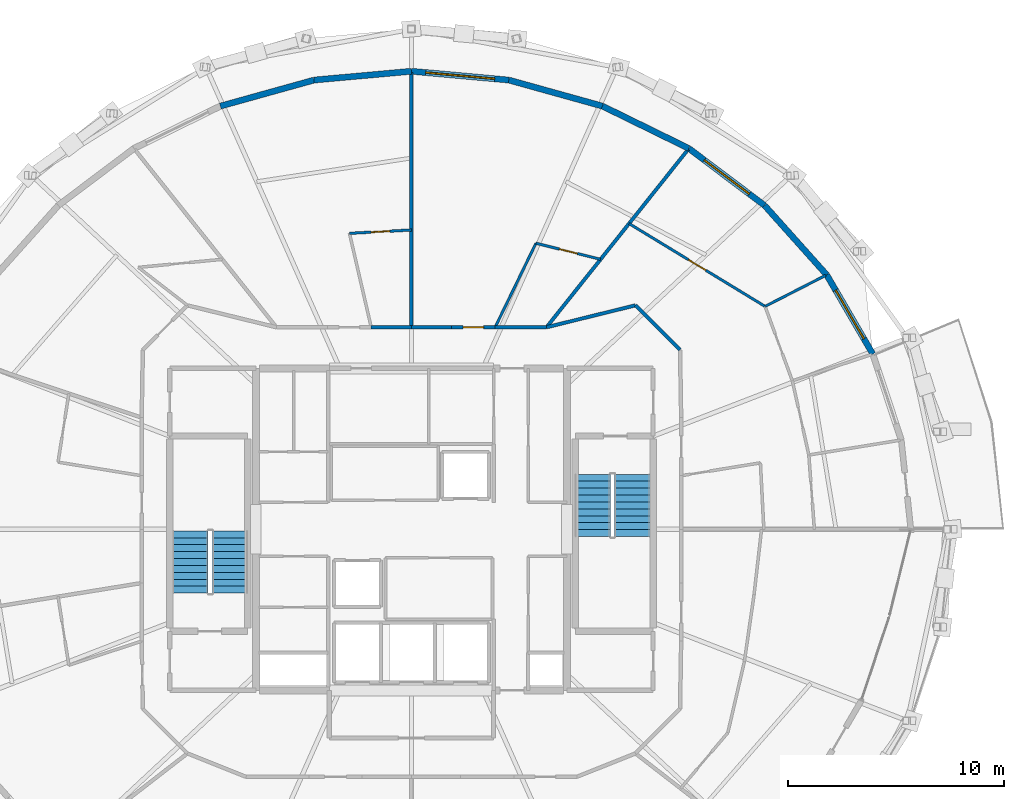
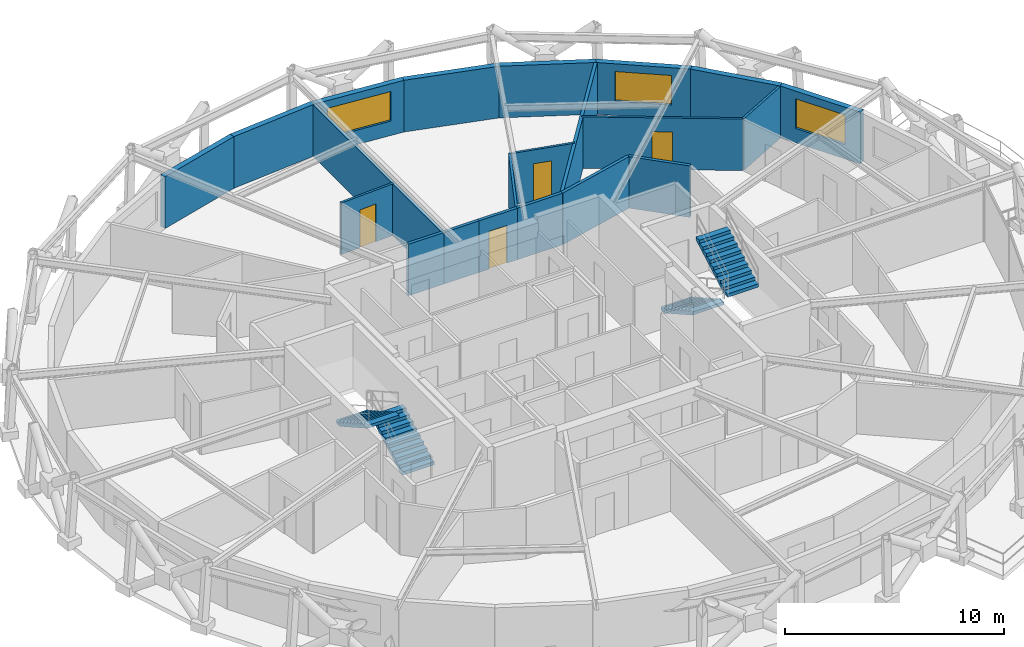
# One storey, part 11 of 12: 21 walls, 4 doors, 4 stair flights, 3 windows, 7 openings, 2 elements without a shape of their own.
"""IFC4 building model written with IfcOpenShell, lengths in metres."""

from ifc_helpers import new_model, si_unit, direction, frame, frame_2d, origin, place, context, subcontext, project, spatial, polyline, rectangle, outline, extrude, material, layer, layer_set, type_object, element, fill, aggregate, save


model = new_model("IFC4")

# Units and contexts
model_context = context("Model", 3, precision=1e-05, world=origin(), true_north=direction((0.0, 1.0)))
body_context = subcontext(model_context, "Body", "Model", "MODEL_VIEW")
ifc_project = project(units=[si_unit("LENGTHUNIT", "METRE"), si_unit("AREAUNIT", "SQUARE_METRE"), si_unit("VOLUMEUNIT", "CUBIC_METRE"), si_unit("PLANEANGLEUNIT", "RADIAN"), si_unit("MASSUNIT", "GRAM", prefix="KILO")], contexts=[model_context])

# Site, building, storey
site_placement = place(None, origin())
site = spatial("IfcSite", under=ifc_project, at=site_placement, CompositionType="ELEMENT")
building_placement = place(site_placement, origin())
building = spatial("IfcBuilding", under=site, at=building_placement, Name="Veldorina Hangang Commons", CompositionType="ELEMENT")
storey_placement = place(building_placement, frame((0.0, 0.0, 222.0)))
storey = spatial("IfcBuildingStorey", under=building, at=storey_placement, Name="L57", CompositionType="ELEMENT", Elevation=222.0)

# Wall, opening, window
ifc_material_1 = material(Name="Stone Roman Travertine", Category="masonry")
ifc_layer_1 = layer(ifc_material_1, 0.280029296875)
ifc_layer_set_1 = layer_set([ifc_layer_1], Name="Stone Roman Travertine")
wall_type_1 = type_object("IfcWallType", Name="EW-TRAV-280", PredefinedType="STANDARD", material=ifc_layer_set_1)
wall_1_placement = place(storey_placement, frame((53.3466796875, 32.11083984375, 0.0), z_axis=(0.0, 0.0, 1.0), x_axis=(-0.503498718903, 0.863995972249, 0.0)))
wall_1 = element("IfcWall", 1, at=wall_1_placement, inside=storey, type_object=wall_type_1, Name="L57 travertine facade wall 02", PredefinedType="STANDARD", context=body_context, shape_type="SweptSolid", body=[
    extrude(rectangle(XDim=4.24072265625, YDim=0.280029296875, at=frame_2d((2.120361328125, 0.0))), origin(), (0.0, 0.0, 1.0), 2.8798828125),
])
opening_1_placement = place(wall_1_placement, frame((0.820556640625, 0.0, 0.800048828125)))
opening_1 = element("IfcOpeningElement", 2, at=opening_1_placement, cuts=wall_1, Name="Opening W-02", PredefinedType="OPENING", context=body_context, shape_type="SweptSolid", body=[
    extrude(rectangle(XDim=2.60009765625, YDim=1.64990234375, at=frame_2d((1.300048828125, 0.824951171875))), frame((0.0, 0.14990234375, 0.0), z_axis=(0.0, -1.0, 0.0), x_axis=(1.0, 0.0, 0.0)), (0.0, 0.0, 1.0), 0.300048828125),
])
ifc_material_2 = material(Name="Glass Low-E Triple IGU", Category="glass")
window_type_1 = type_object("IfcWindowType", Name="WIN-TWR-2600", PartitioningType="SINGLE_PANEL", PredefinedType="WINDOW", material=ifc_material_2)
window_1_placement = place(opening_1_placement, origin())
window_1 = element("IfcWindow", 3, at=window_1_placement, inside=storey, type_object=window_type_1, Name="L57 facade window 02", OverallHeight=1.64990234375, OverallWidth=2.60009765625, PartitioningType="SINGLE_PANEL", PredefinedType="WINDOW", context=body_context, shape_type="SweptSolid", body=[
    extrude(rectangle(XDim=2.60009765625, YDim=1.64990234375, at=frame_2d((1.300048828125, 0.824951171875))), frame((0.0, 0.030029296875, 0.0), z_axis=(0.0, -1.0, 0.0), x_axis=(1.0, 0.0, 0.0)), (0.0, 0.0, 1.0), 0.06005859375),
])
fill(opening_1, window_1)

# Wall
wall_2_placement = place(storey_placement, frame((51.21142578125, 35.77490234375, 0.0), z_axis=(0.0, 0.0, 1.0), x_axis=(-0.666726962521, 0.745302057858, 0.0)))
element("IfcWall", 4, at=wall_2_placement, inside=storey, type_object=wall_type_1, Name="L57 travertine facade wall 03", PredefinedType="STANDARD", context=body_context, shape_type="SweptSolid", body=[
    extrude(rectangle(XDim=4.3095703125, YDim=0.280029296875, at=frame_2d((2.15478515625, 0.0))), origin(), (0.0, 0.0, 1.0), 2.8798828125),
])

# Wall, opening, window
wall_3_placement = place(storey_placement, frame((48.338134765625, 38.98681640625, 0.0), z_axis=(0.0, 0.0, 1.0), x_axis=(-0.798942565337, 0.601407330594, 0.0)))
wall_3 = element("IfcWall", 5, at=wall_3_placement, inside=storey, type_object=wall_type_1, Name="L57 travertine facade wall 04", PredefinedType="STANDARD", context=body_context, shape_type="SweptSolid", body=[
    extrude(rectangle(XDim=4.382568359375, YDim=0.280029296875, at=frame_2d((2.19140625, 0.0))), origin(), (0.0, 0.0, 1.0), 2.8798828125),
])
opening_2_placement = place(wall_3_placement, frame((0.891357421875, 0.0, 0.800048828125)))
opening_2 = element("IfcOpeningElement", 6, at=opening_2_placement, cuts=wall_3, Name="Opening W-02", PredefinedType="OPENING", context=body_context, shape_type="SweptSolid", body=[
    extrude(rectangle(XDim=2.60009765625, YDim=1.64990234375, at=frame_2d((1.300048828125, 0.824951171875))), frame((0.0, 0.14990234375, 0.0), z_axis=(0.0, -1.0, 0.0), x_axis=(1.0, 0.0, 0.0)), (0.0, 0.0, 1.0), 0.300048828125),
])
window_2_placement = place(opening_2_placement, origin())
window_2 = element("IfcWindow", 7, at=window_2_placement, inside=storey, type_object=window_type_1, Name="L57 facade window 04", OverallHeight=1.64990234375, OverallWidth=2.60009765625, PartitioningType="SINGLE_PANEL", PredefinedType="WINDOW", context=body_context, shape_type="SweptSolid", body=[
    extrude(rectangle(XDim=2.60009765625, YDim=1.64990234375, at=frame_2d((1.300048828125, 0.824951171875))), frame((0.0, 0.030029296875, 0.0), z_axis=(0.0, -1.0, 0.0), x_axis=(1.0, 0.0, 0.0)), (0.0, 0.0, 1.0), 0.06005859375),
])
fill(opening_2, window_2)

# Walls
wall_4_placement = place(storey_placement, frame((44.836669921875, 41.62255859375, 0.0), z_axis=(0.0, 0.0, 1.0), x_axis=(-0.897868409718, 0.440263919519, 0.0)))
element("IfcWall", 8, at=wall_4_placement, inside=storey, type_object=wall_type_1, Name="L57 travertine facade wall 05", PredefinedType="STANDARD", context=body_context, shape_type="SweptSolid", body=[
    extrude(rectangle(XDim=4.448974609375, YDim=0.280029296875, at=frame_2d((2.224609375, 0.0))), origin(), (0.0, 0.0, 1.0), 2.8798828125),
])
wall_5_placement = place(storey_placement, frame((40.842041015625, 43.581298828125, 0.0), z_axis=(0.0, 0.0, 1.0), x_axis=(-0.963397305611, 0.268077659535, 0.0)))
element("IfcWall", 9, at=wall_5_placement, inside=storey, type_object=wall_type_1, Name="L57 travertine facade wall 06", PredefinedType="STANDARD", context=body_context, shape_type="SweptSolid", body=[
    extrude(rectangle(XDim=4.498779296875, YDim=0.280029296875, at=frame_2d((2.24951171875, 0.0))), origin(), (0.0, 0.0, 1.0), 2.8798828125),
])

# Wall, opening, window
wall_6_placement = place(storey_placement, frame((36.5078125, 44.787353515625, 0.0), z_axis=(0.0, 0.0, 1.0), x_axis=(-0.995944333691, 0.089971574339, 0.0)))
wall_6 = element("IfcWall", 10, at=wall_6_placement, inside=storey, type_object=wall_type_1, Name="L57 travertine facade wall 07", PredefinedType="STANDARD", context=body_context, shape_type="SweptSolid", body=[
    extrude(rectangle(XDim=4.526123046875, YDim=0.280029296875, at=frame_2d((2.26318359375, 0.0))), origin(), (0.0, 0.0, 1.0), 2.8798828125),
])
opening_3_placement = place(wall_6_placement, frame((0.6630859375, 0.0, 0.800048828125)))
opening_3 = element("IfcOpeningElement", 11, at=opening_3_placement, cuts=wall_6, Name="Opening W-01", PredefinedType="OPENING", context=body_context, shape_type="SweptSolid", body=[
    extrude(rectangle(XDim=3.199951171875, YDim=1.64990234375, at=frame_2d((1.60009765625, 0.824951171875))), frame((0.0, 0.14990234375, 0.0), z_axis=(0.0, -1.0, 0.0), x_axis=(1.0, 0.0, 0.0)), (0.0, 0.0, 1.0), 0.300048828125),
])
window_type_2 = type_object("IfcWindowType", Name="WIN-TWR-3200", PartitioningType="SINGLE_PANEL", PredefinedType="WINDOW", material=ifc_material_2)
window_3_placement = place(opening_3_placement, origin())
window_3 = element("IfcWindow", 12, at=window_3_placement, inside=storey, type_object=window_type_2, Name="L57 facade window 07", OverallHeight=1.64990234375, OverallWidth=3.199951171875, PartitioningType="SINGLE_PANEL", PredefinedType="WINDOW", context=body_context, shape_type="SweptSolid", body=[
    extrude(rectangle(XDim=3.199951171875, YDim=1.64990234375, at=frame_2d((1.60009765625, 0.824951171875))), frame((0.0, 0.030029296875, 0.0), z_axis=(0.0, -1.0, 0.0), x_axis=(1.0, 0.0, 0.0)), (0.0, 0.0, 1.0), 0.06005859375),
])
fill(opening_3, window_3)

# Walls
wall_7_placement = place(storey_placement, frame((32.0, 45.194580078125, 0.0), z_axis=(0.0, 0.0, 1.0), x_axis=(-0.995944333691, -0.089971574339, 0.0)))
element("IfcWall", 13, at=wall_7_placement, inside=storey, type_object=wall_type_1, Name="L57 travertine facade wall 08", PredefinedType="STANDARD", context=body_context, shape_type="SweptSolid", body=[
    extrude(rectangle(XDim=4.526123046875, YDim=0.280029296875, at=frame_2d((2.26318359375, 0.0))), origin(), (0.0, 0.0, 1.0), 2.8798828125),
])
wall_8_placement = place(storey_placement, frame((27.4921875, 44.787353515625, 0.0), z_axis=(0.0, 0.0, 1.0), x_axis=(-0.963397305611, -0.268077659535, 0.0)))
element("IfcWall", 14, at=wall_8_placement, inside=storey, type_object=wall_type_1, Name="L57 travertine facade wall 09", PredefinedType="STANDARD", context=body_context, shape_type="SweptSolid", body=[
    extrude(rectangle(XDim=4.498779296875, YDim=0.280029296875, at=frame_2d((2.24951171875, 0.0))), origin(), (0.0, 0.0, 1.0), 2.8798828125),
])
ifc_material_3 = material(Name="Gypsum Fire-Rated Twin Stud Wall", Category="gypsum")
ifc_layer_2 = layer(ifc_material_3, 0.159912109375)
ifc_layer_set_2 = layer_set([ifc_layer_2], Name="Gypsum Fire-Rated Twin Stud Wall")
wall_type_2 = type_object("IfcWallType", Name="WL-FIRE-160", PredefinedType="SOLIDWALL", material=ifc_layer_set_2)
wall_9_placement = place(storey_placement, frame((44.4267578125, 32.30322265625, 0.0), z_axis=(0.0, 0.0, 1.0), x_axis=(-0.707106781187, 0.707106781187, 0.0)))
element("IfcWall", 15, at=wall_9_placement, inside=storey, type_object=wall_type_2, Name="L57 Compact collar outer wall 03 057", PredefinedType="SOLIDWALL", context=body_context, shape_type="SweptSolid", body=[
    extrude(rectangle(XDim=2.915771484375, YDim=0.159912109375, at=frame_2d((1.4580078125, 0.0))), origin(), (0.0, 0.0, 1.0), 2.8701171875),
])
wall_10_placement = place(storey_placement, frame((42.364990234375, 34.364990234375, 0.0), z_axis=(0.0, 0.0, 1.0), x_axis=(-0.970939799552, -0.239323850978, 0.0)))
element("IfcWall", 16, at=wall_10_placement, inside=storey, type_object=wall_type_2, Name="L57 Compact collar outer wall 04 058", PredefinedType="SOLIDWALL", context=body_context, shape_type="SweptSolid", body=[
    extrude(rectangle(XDim=4.24072265625, YDim=0.159912109375, at=frame_2d((2.120361328125, 0.0))), origin(), (0.0, 0.0, 1.0), 2.8701171875),
])
wall_11_placement = place(storey_placement, frame((38.24755859375, 33.35009765625, 0.0), z_axis=(0.0, 0.0, 1.0), x_axis=(-1.0, 0.0, 0.0)))
element("IfcWall", 17, at=wall_11_placement, inside=storey, type_object=wall_type_2, Name="L57 Compact collar outer wall 05 059", PredefinedType="SOLIDWALL", context=body_context, shape_type="SweptSolid", body=[
    extrude(rectangle(XDim=2.374755859375, YDim=0.159912109375, at=frame_2d((1.1875, 0.0))), origin(), (0.0, 0.0, 1.0), 2.8701171875),
])

# Wall, opening, door
wall_12_placement = place(storey_placement, frame((35.872802734375, 33.35009765625, 0.0), z_axis=(0.0, 0.0, 1.0), x_axis=(-1.0, 0.0, 0.0)))
wall_12 = element("IfcWall", 18, at=wall_12_placement, inside=storey, type_object=wall_type_2, Name="L57 Compact collar outer wall 06 060", PredefinedType="SOLIDWALL", context=body_context, shape_type="SweptSolid", body=[
    extrude(rectangle(XDim=2.012939453125, YDim=0.159912109375, at=frame_2d((1.00634765625, 0.0))), origin(), (0.0, 0.0, 1.0), 2.8701171875),
])
opening_4_placement = place(wall_12_placement, frame((0.531494140625, 0.0, 0.0)))
opening_4 = element("IfcOpeningElement", 19, at=opening_4_placement, cuts=wall_12, Name="Opening D-03", PredefinedType="OPENING", context=body_context, shape_type="SweptSolid", body=[
    extrude(rectangle(XDim=0.949951171875, YDim=2.10009765625, at=frame_2d((0.47509765625, 1.050048828125))), frame((0.0, 0.08984375, 0.0), z_axis=(0.0, -1.0, 0.0), x_axis=(1.0, 0.0, 0.0)), (0.0, 0.0, 1.0), 0.179931640625),
])
ifc_material_4 = material(Name="Timber Fire-Rated Entrance Core", Category="wood")
door_type_1 = type_object("IfcDoorType", Name="DR-UNIT-950", OperationType="SINGLE_SWING_RIGHT", PredefinedType="DOOR", material=ifc_material_4)
door_1_placement = place(opening_4_placement, origin())
door_1 = element("IfcDoor", 20, at=door_1_placement, inside=storey, type_object=door_type_1, Name="L57 Studio 3 entrance door 031", OperationType="SINGLE_SWING_LEFT", OverallHeight=2.10009765625, OverallWidth=0.949951171875, PredefinedType="DOOR", context=body_context, shape_type="SweptSolid", body=[
    extrude(rectangle(XDim=0.949951171875, YDim=2.10009765625, at=frame_2d((0.47509765625, 1.050048828125))), frame((0.0, 0.02490234375, 0.0), z_axis=(0.0, -1.0, 0.0), x_axis=(1.0, 0.0, 0.0)), (0.0, 0.0, 1.0), 0.050048828125),
])
fill(opening_4, door_1)

# Walls
for number, where, z_axis, x_axis, name in (
    (21, (33.85986328125, 33.35009765625, 0.0), (0.0, 0.0, 1.0), (-1.0, 0.0, 0.0), "L57 Compact collar outer wall 07 061"),
    (22, (32.0, 33.35009765625, 0.0), (0.0, 0.0, 1.0), (-1.0, 0.0, 0.0), "L57 Compact collar outer wall 08 062"),
):
    element("IfcWall", number, at=place(storey_placement, frame(where, z_axis=z_axis, x_axis=x_axis)), inside=storey, type_object=wall_type_2, Name=name, PredefinedType="SOLIDWALL", context=body_context, shape_type="SweptSolid", body=[
        extrude(rectangle(XDim=1.85986328125, YDim=0.159912109375, at=frame_2d((0.929931640625, 0.0))), origin(), (0.0, 0.0, 1.0), 2.8701171875),
    ])
wall_13_placement = place(storey_placement, frame((38.24755859375, 33.35009765625, 0.0), z_axis=(0.0, 0.0, 1.0), x_axis=(0.623021929745, 0.782204369112, 0.0)))
element("IfcWall", 23, at=wall_13_placement, inside=storey, type_object=wall_type_2, Name="L57 Unit party wall 05 101", PredefinedType="SOLIDWALL", context=body_context, shape_type="SweptSolid", body=[
    extrude(rectangle(XDim=10.52587890625, YDim=0.159912109375, at=frame_2d((5.262939453125, 0.0))), origin(), (0.0, 0.0, 1.0), 2.8701171875),
])
wall_14_placement = place(storey_placement, frame((32.0, 33.35009765625, 0.0), z_axis=(0.0, 0.0, 1.0), x_axis=(0.0, 1.0, 0.0)))
element("IfcWall", 24, at=wall_14_placement, inside=storey, type_object=wall_type_2, Name="L57 Unit party wall 08 104", PredefinedType="SOLIDWALL", context=body_context, shape_type="SweptSolid", body=[
    extrude(rectangle(XDim=11.79443359375, YDim=0.159912109375, at=frame_2d((5.897216796875, 0.0))), origin(), (0.0, 0.0, 1.0), 2.8701171875),
])

# Wall, opening, door
ifc_material_5 = material(Name="Gypsum Acoustic Stud Partition", Category="gypsum")
ifc_layer_3 = layer(ifc_material_5, 0.1201171875)
ifc_layer_set_3 = layer_set([ifc_layer_3], Name="Gypsum Acoustic Stud Partition")
wall_type_3 = type_object("IfcWallType", Name="WL-PART-120", PredefinedType="PARTITIONING", material=ifc_layer_set_3)
wall_15_placement = place(storey_placement, frame((48.36181640625, 34.31689453125, 0.0), z_axis=(0.0, 0.0, 1.0), x_axis=(-0.854141598194, 0.520040508262, 0.0)))
wall_15 = element("IfcWall", 25, at=wall_15_placement, inside=storey, type_object=wall_type_3, Name="L57 Cluster 2 bed 4 front wall 099", PredefinedType="PARTITIONING", context=body_context, shape_type="SweptSolid", body=[
    extrude(rectangle(XDim=7.3671875, YDim=0.1201171875, at=frame_2d((3.68359375, 0.0))), origin(), (0.0, 0.0, 1.0), 2.8701171875),
])
opening_5_placement = place(wall_15_placement, frame((3.20849609375, 0.0, 0.0)))
opening_5 = element("IfcOpeningElement", 26, at=opening_5_placement, cuts=wall_15, Name="Opening D-02", PredefinedType="OPENING", context=body_context, shape_type="SweptSolid", body=[
    extrude(rectangle(XDim=0.949951171875, YDim=2.10009765625, at=frame_2d((0.47509765625, 1.050048828125))), frame((0.0, 0.070068359375, 0.0), z_axis=(0.0, -1.0, 0.0), x_axis=(1.0, 0.0, 0.0)), (0.0, 0.0, 1.0), 0.14013671875),
])
ifc_material_6 = material(Name="Timber Solid Core Acoustic", Category="wood")
door_type_2 = type_object("IfcDoorType", Name="DR-INT-950", OperationType="SINGLE_SWING_LEFT", PredefinedType="DOOR", material=ifc_material_6)
door_2_placement = place(opening_5_placement, origin())
door_2 = element("IfcDoor", 27, at=door_2_placement, inside=storey, type_object=door_type_2, Name="L57 Cluster 2 bed 4 door 029", OperationType="SINGLE_SWING_LEFT", OverallHeight=2.10009765625, OverallWidth=0.949951171875, PredefinedType="DOOR", context=body_context, shape_type="SweptSolid", body=[
    extrude(rectangle(XDim=0.949951171875, YDim=2.10009765625, at=frame_2d((0.47509765625, 1.050048828125))), frame((0.0, 0.02490234375, 0.0), z_axis=(0.0, -1.0, 0.0), x_axis=(1.0, 0.0, 0.0)), (0.0, 0.0, 1.0), 0.050048828125),
])
fill(opening_5, door_2)

# Wall
wall_16_placement = place(storey_placement, frame((48.36181640625, 34.31689453125, 0.0), z_axis=(0.0, 0.0, 1.0), x_axis=(0.890235742067, 0.455500080732, 0.0)))
element("IfcWall", 28, at=wall_16_placement, inside=storey, type_object=wall_type_3, Name="L57 Cluster 2 bed divider 3 100", PredefinedType="PARTITIONING", context=body_context, shape_type="SweptSolid", body=[
    extrude(rectangle(XDim=3.151123046875, YDim=0.1201171875, at=frame_2d((1.57568359375, 0.0))), origin(), (0.0, 0.0, 1.0), 2.8701171875),
])

# Wall, opening, door
wall_17_placement = place(storey_placement, frame((40.75146484375, 36.49365234375, 0.0), z_axis=(0.0, 0.0, 1.0), x_axis=(-0.97040292974, 0.241491519419, 0.0)))
wall_17 = element("IfcWall", 29, at=wall_17_placement, inside=storey, type_object=wall_type_3, Name="L57 Studio 3 bath front wall 102", PredefinedType="PARTITIONING", context=body_context, shape_type="SweptSolid", body=[
    extrude(rectangle(XDim=3.08154296875, YDim=0.1201171875, at=frame_2d((1.540771484375, 0.0))), origin(), (0.0, 0.0, 1.0), 2.8701171875),
])
opening_6_placement = place(wall_17_placement, frame((1.110595703125, 0.0, 0.0)))
opening_6 = element("IfcOpeningElement", 30, at=opening_6_placement, cuts=wall_17, Name="Opening D-01", PredefinedType="OPENING", context=body_context, shape_type="SweptSolid", body=[
    extrude(rectangle(XDim=0.860107421875, YDim=2.10009765625, at=frame_2d((0.43017578125, 1.050048828125))), frame((0.0, 0.070068359375, 0.0), z_axis=(0.0, -1.0, 0.0), x_axis=(1.0, 0.0, 0.0)), (0.0, 0.0, 1.0), 0.14013671875),
])
ifc_material_7 = material(Name="Timber Moisture-Resistant Core", Category="wood")
door_type_3 = type_object("IfcDoorType", Name="DR-WET-860", OperationType="SINGLE_SWING_LEFT", PredefinedType="DOOR", material=ifc_material_7)
door_3_placement = place(opening_6_placement, origin())
door_3 = element("IfcDoor", 31, at=door_3_placement, inside=storey, type_object=door_type_3, Name="L57 Studio 3 bathroom door 030", OperationType="SINGLE_SWING_RIGHT", OverallHeight=2.10009765625, OverallWidth=0.860107421875, PredefinedType="DOOR", context=body_context, shape_type="SweptSolid", body=[
    extrude(rectangle(XDim=0.860107421875, YDim=2.10009765625, at=frame_2d((0.43017578125, 1.050048828125))), frame((0.0, 0.02490234375, 0.0), z_axis=(0.0, -1.0, 0.0), x_axis=(1.0, 0.0, 0.0)), (0.0, 0.0, 1.0), 0.050048828125),
])
fill(opening_6, door_3)

# Wall
wall_18_placement = place(storey_placement, frame((35.872802734375, 33.35009765625, 0.0), z_axis=(0.0, 0.0, 1.0), x_axis=(0.43692616188, 0.899497375796, 0.0)))
element("IfcWall", 32, at=wall_18_placement, inside=storey, type_object=wall_type_3, Name="L57 Studio 3 bath side wall 103", PredefinedType="PARTITIONING", context=body_context, shape_type="SweptSolid", body=[
    extrude(rectangle(XDim=4.322021484375, YDim=0.1201171875, at=frame_2d((2.1611328125, 0.0))), origin(), (0.0, 0.0, 1.0), 2.8701171875),
])

# Wall, opening, door
wall_19_placement = place(storey_placement, frame((32.0, 37.850830078125, 0.0), z_axis=(0.0, 0.0, 1.0), x_axis=(-0.998549327461, -0.053844597009, 0.0)))
wall_19 = element("IfcWall", 33, at=wall_19_placement, inside=storey, type_object=wall_type_3, Name="L57 Studio 4 bath front wall 105", PredefinedType="PARTITIONING", context=body_context, shape_type="SweptSolid", body=[
    extrude(rectangle(XDim=2.8701171875, YDim=0.1201171875, at=frame_2d((1.43505859375, 0.0))), origin(), (0.0, 0.0, 1.0), 2.8701171875),
])
opening_7_placement = place(wall_19_placement, frame((1.005126953125, 0.0, 0.0)))
opening_7 = element("IfcOpeningElement", 34, at=opening_7_placement, cuts=wall_19, Name="Opening D-01", PredefinedType="OPENING", context=body_context, shape_type="SweptSolid", body=[
    extrude(rectangle(XDim=0.860107421875, YDim=2.10009765625, at=frame_2d((0.43017578125, 1.050048828125))), frame((0.0, 0.070068359375, 0.0), z_axis=(0.0, -1.0, 0.0), x_axis=(1.0, 0.0, 0.0)), (0.0, 0.0, 1.0), 0.14013671875),
])
door_4_placement = place(opening_7_placement, origin())
door_4 = element("IfcDoor", 35, at=door_4_placement, inside=storey, type_object=door_type_3, Name="L57 Studio 4 bathroom door 032", OperationType="SINGLE_SWING_RIGHT", OverallHeight=2.10009765625, OverallWidth=0.860107421875, PredefinedType="DOOR", context=body_context, shape_type="SweptSolid", body=[
    extrude(rectangle(XDim=0.860107421875, YDim=2.10009765625, at=frame_2d((0.43017578125, 1.050048828125))), frame((0.0, 0.02490234375, 0.0), z_axis=(0.0, -1.0, 0.0), x_axis=(1.0, 0.0, 0.0)), (0.0, 0.0, 1.0), 0.050048828125),
])
fill(opening_7, door_4)

# Stair, stair flights
ifc_material_8 = material(Name="Concrete C40/50", Category="concrete")
stair_type = type_object("IfcStairType", Name="STR-DOG-1650-20R", PredefinedType="HALF_TURN_STAIR", material=ifc_material_8)
stair_1_placement = place(storey_placement, origin())
stair_1 = element("IfcStair", 36, at=stair_1_placement, inside=storey, type_object=stair_type, Name="L57 Exit stair ST-1", PredefinedType="HALF_TURN_STAIR")
stair_flight_type = type_object("IfcStairFlightType", Name="SFL-STR-1650-20R", PredefinedType="STRAIGHT", material=ifc_material_8)
stair_flight_1_placement = place(storey_placement, frame((23.625, 21.050048828125, 0.0), z_axis=(0.0, 0.0, 1.0), x_axis=(0.0, 1.0, 0.0)))
stair_flight_1 = element("IfcStairFlight", 37, at=stair_flight_1_placement, type_object=stair_flight_type, Name="ST-1 flight 1", NumberOfRisers=10, NumberOfTreads=9, PredefinedType="STRAIGHT", RiserHeight=0.18, TreadLength=0.32, context=body_context, shape_type="SweptSolid", body=[
    extrude(outline(polyline([(0.0, 0.0), (0.0, 0.179931640625), (0.320068359375, 0.179931640625), (0.320068359375, 0.360107421875), (0.639892578125, 0.360107421875), (0.639892578125, 0.5400390625), (0.9599609375, 0.5400390625), (0.9599609375, 0.719970703125), (1.280029296875, 0.719970703125), (1.280029296875, 0.89990234375), (1.60009765625, 0.89990234375), (1.60009765625, 1.080078125), (1.919921875, 1.080078125), (1.919921875, 1.260009765625), (2.239990234375, 1.260009765625), (2.239990234375, 1.43994140625), (2.56005859375, 1.43994140625), (2.56005859375, 1.6201171875), (2.8798828125, 1.6201171875), (2.8798828125, 1.800048828125), (2.8798828125, 1.447998046875), (0.3056640625, 0.0), (0.0, 0.0)])), frame((0.0, 0.824951171875, 0.0), z_axis=(0.0, -1.0, 0.0), x_axis=(1.0, 0.0, 0.0)), (0.0, 0.0, 1.0), 1.64990234375),
])
stair_flight_2_placement = place(storey_placement, frame((21.77490234375, 23.929931640625, 1.800048828125), z_axis=(0.0, 0.0, 1.0), x_axis=(0.0, -1.0, 0.0)))
stair_flight_2 = element("IfcStairFlight", 38, at=stair_flight_2_placement, type_object=stair_flight_type, Name="ST-1 flight 2", NumberOfRisers=10, NumberOfTreads=9, PredefinedType="STRAIGHT", RiserHeight=0.18, TreadLength=0.32, context=body_context, shape_type="SweptSolid", body=[
    extrude(outline(polyline([(0.0, 0.0), (0.0, 0.179931640625), (0.320068359375, 0.179931640625), (0.320068359375, 0.360107421875), (0.639892578125, 0.360107421875), (0.639892578125, 0.5400390625), (0.9599609375, 0.5400390625), (0.9599609375, 0.719970703125), (1.280029296875, 0.719970703125), (1.280029296875, 0.89990234375), (1.60009765625, 0.89990234375), (1.60009765625, 1.080078125), (1.919921875, 1.080078125), (1.919921875, 1.260009765625), (2.239990234375, 1.260009765625), (2.239990234375, 1.43994140625), (2.56005859375, 1.43994140625), (2.56005859375, 1.6201171875), (2.8798828125, 1.6201171875), (2.8798828125, 1.800048828125), (2.8798828125, 1.447998046875), (0.3056640625, 0.0), (0.0, 0.0)])), frame((0.0, 0.824951171875, 0.0), z_axis=(0.0, -1.0, 0.0), x_axis=(1.0, 0.0, 0.0)), (0.0, 0.0, 1.0), 1.64990234375),
])
aggregate(stair_1, [stair_flight_1, stair_flight_2])

stair_2_placement = place(storey_placement, origin())
stair_2 = element("IfcStair", 39, at=stair_2_placement, inside=storey, type_object=stair_type, Name="L57 Exit stair ST-2", PredefinedType="HALF_TURN_STAIR")
stair_flight_3_placement = place(storey_placement, frame((40.375, 26.550048828125, 0.0), z_axis=(0.0, 0.0, 1.0), x_axis=(0.0, -1.0, 0.0)))
stair_flight_3 = element("IfcStairFlight", 40, at=stair_flight_3_placement, type_object=stair_flight_type, Name="ST-2 flight 1", NumberOfRisers=10, NumberOfTreads=9, PredefinedType="STRAIGHT", RiserHeight=0.18, TreadLength=0.32, context=body_context, shape_type="SweptSolid", body=[
    extrude(outline(polyline([(0.0, 0.0), (0.0, 0.179931640625), (0.320068359375, 0.179931640625), (0.320068359375, 0.360107421875), (0.639892578125, 0.360107421875), (0.639892578125, 0.5400390625), (0.9599609375, 0.5400390625), (0.9599609375, 0.719970703125), (1.280029296875, 0.719970703125), (1.280029296875, 0.89990234375), (1.60009765625, 0.89990234375), (1.60009765625, 1.080078125), (1.919921875, 1.080078125), (1.919921875, 1.260009765625), (2.239990234375, 1.260009765625), (2.239990234375, 1.43994140625), (2.56005859375, 1.43994140625), (2.56005859375, 1.6201171875), (2.8798828125, 1.6201171875), (2.8798828125, 1.800048828125), (2.8798828125, 1.447998046875), (0.3056640625, 0.0), (0.0, 0.0)])), frame((0.0, 0.824951171875, 0.0), z_axis=(0.0, -1.0, 0.0), x_axis=(1.0, 0.0, 0.0)), (0.0, 0.0, 1.0), 1.64990234375),
])
stair_flight_4_placement = place(storey_placement, frame((42.22509765625, 23.669921875, 1.800048828125), z_axis=(0.0, 0.0, 1.0), x_axis=(0.0, 1.0, 0.0)))
stair_flight_4 = element("IfcStairFlight", 41, at=stair_flight_4_placement, type_object=stair_flight_type, Name="ST-2 flight 2", NumberOfRisers=10, NumberOfTreads=9, PredefinedType="STRAIGHT", RiserHeight=0.18, TreadLength=0.32, context=body_context, shape_type="SweptSolid", body=[
    extrude(outline(polyline([(0.0, 0.0), (0.0, 0.179931640625), (0.320068359375, 0.179931640625), (0.320068359375, 0.360107421875), (0.639892578125, 0.360107421875), (0.639892578125, 0.5400390625), (0.9599609375, 0.5400390625), (0.9599609375, 0.719970703125), (1.280029296875, 0.719970703125), (1.280029296875, 0.89990234375), (1.60009765625, 0.89990234375), (1.60009765625, 1.080078125), (1.919921875, 1.080078125), (1.919921875, 1.260009765625), (2.239990234375, 1.260009765625), (2.239990234375, 1.43994140625), (2.56005859375, 1.43994140625), (2.56005859375, 1.6201171875), (2.8798828125, 1.6201171875), (2.8798828125, 1.800048828125), (2.8798828125, 1.447998046875), (0.3056640625, 0.0), (0.0, 0.0)])), frame((0.0, 0.824951171875, 0.0), z_axis=(0.0, -1.0, 0.0), x_axis=(1.0, 0.0, 0.0)), (0.0, 0.0, 1.0), 1.64990234375),
])
aggregate(stair_2, [stair_flight_3, stair_flight_4])

save(model, "model.ifc")
